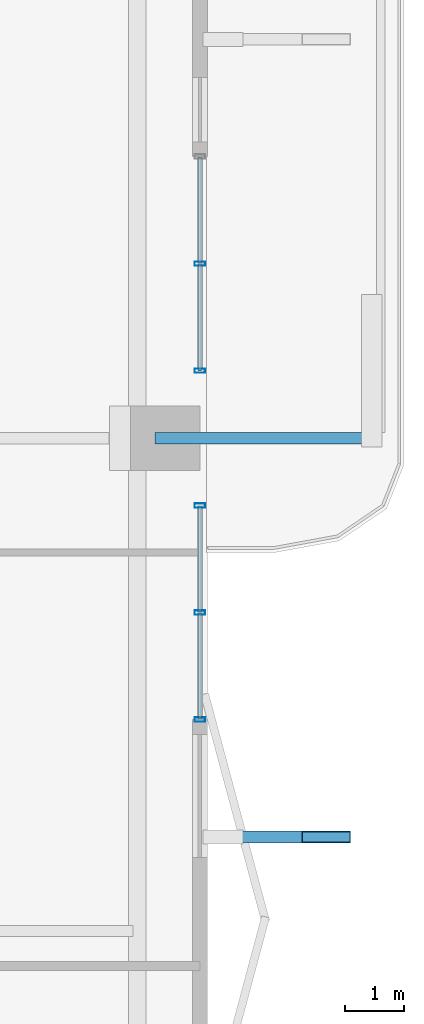
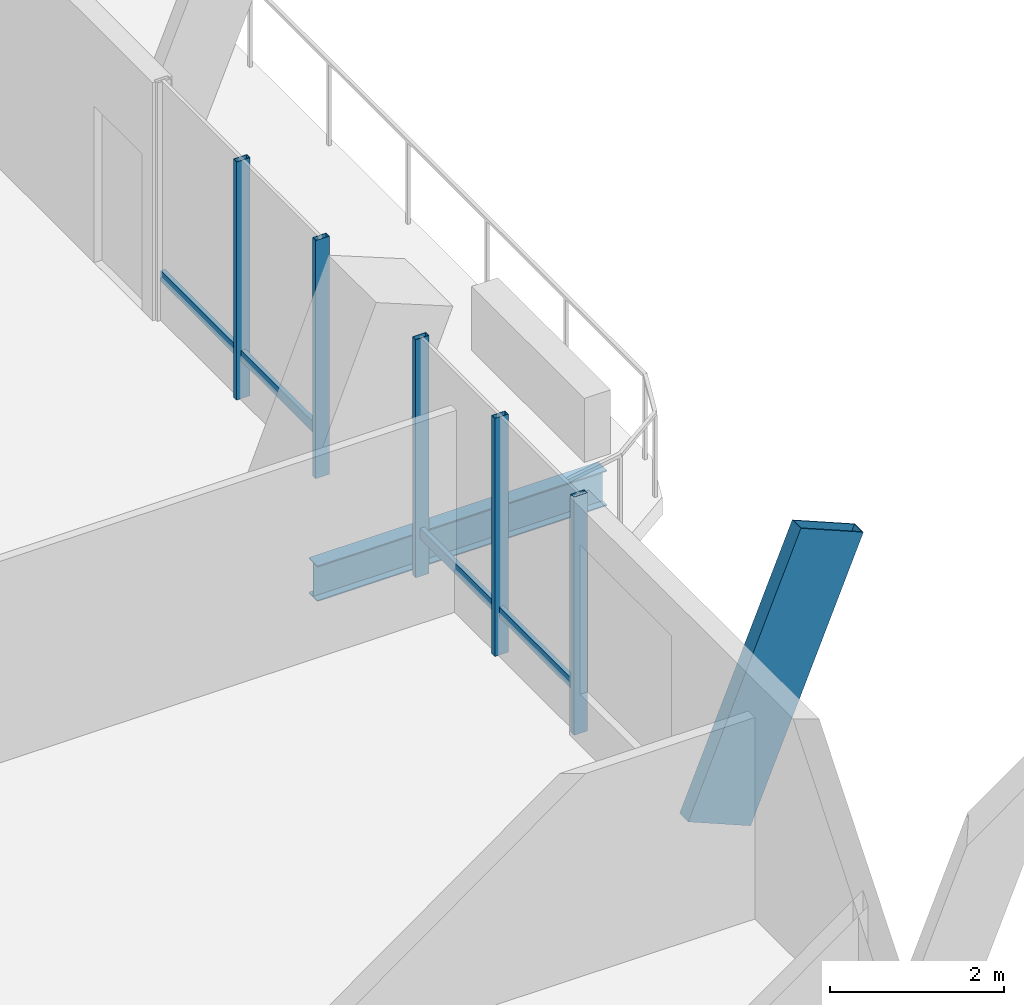
# One storey, part 10 of 24: 10 members, 1 beam, 2 elements without a shape of their own.
"""IFC4 building model written with IfcOpenShell, lengths in metres."""

from ifc_helpers import new_model, si_unit, direction, frame, origin, origin_2d, place, context, subcontext, project, spatial, hollow_rectangle, i_section, extrude, material, layer, layer_set, material_profile, profile_set, type_object, element, aggregate, save


model = new_model("IFC4")

# Units and contexts
model_context = context("Model", 3, precision=1e-05, world=origin(), true_north=direction((0.0, 1.0)))
body_context = subcontext(model_context, "Body", "Model", "MODEL_VIEW")
ifc_project = project(units=[si_unit("LENGTHUNIT", "METRE"), si_unit("AREAUNIT", "SQUARE_METRE"), si_unit("VOLUMEUNIT", "CUBIC_METRE"), si_unit("PLANEANGLEUNIT", "RADIAN"), si_unit("MASSUNIT", "GRAM", prefix="KILO")], contexts=[model_context])

# Site, building, storey
site_placement = place(None, origin())
site = spatial("IfcSite", under=ifc_project, at=site_placement, CompositionType="ELEMENT")
building_placement = place(site_placement, origin())
building = spatial("IfcBuilding", under=site, at=building_placement, Name="Belovzor Exchange Tower", CompositionType="ELEMENT")
storey_placement = place(building_placement, frame((0.0, 0.0, 190.800048828125)))
storey = spatial("IfcBuildingStorey", under=building, at=storey_placement, Name="L47", CompositionType="ELEMENT", Elevation=190.800048828125)

# Beam
ifc_material_1 = material(Name="Steel S355", Category="steel")
ifc_material_profile_1 = material_profile(ifc_material_1, i_section(OverallWidth=0.199951171875, OverallDepth=0.5, WebThickness=0.01025390625, FlangeThickness=0.01611328125, at=origin_2d()))
ifc_profile_set_1 = profile_set([ifc_material_profile_1], Name="Steel S355")
beam_type = type_object("IfcBeamType", Name="Planted Balcony Cantilever Beam IPE 500", PredefinedType="BEAM", material=ifc_profile_set_1)
beam_placement = place(storey_placement, frame((52.202880859375, 28.800048828125, -0.505126953125), z_axis=(1.0, 0.0, 0.0), x_axis=(0.0, 1.0, 0.0)))
element("IfcBeam", 1, at=beam_placement, inside=storey, type_object=beam_type, Name="BC-500 Planted Balcony Cantilever Beam IPE 500", PredefinedType="BEAM", context=body_context, shape_type="SweptSolid", body=[
    extrude(i_section(OverallWidth=0.199951171875, OverallDepth=0.5, WebThickness=0.01025390625, FlangeThickness=0.01611328125, at=origin_2d()), origin(), (0.0, 0.0, 1.0), 3.85009765625),
])

# Member
ifc_material_2 = material(Name="Extruded Architectural Terracotta on Steel S355 Carrier", Category="masonry")
ifc_material_profile_2 = material_profile(ifc_material_2, hollow_rectangle(XDim=0.199951171875, YDim=0.89990234375, WallThickness=0.011962890625, at=origin_2d()))
ifc_profile_set_2 = profile_set([ifc_material_profile_2], Name="Extruded Architectural Terracotta on Steel S355 Carrier")
member_type_1 = type_object("IfcMemberType", Name="Sweeping Terracotta Baguette Fin Assembly 1250", PredefinedType="USERDEFINED", material=ifc_profile_set_2)
member_1_placement = place(storey_placement, frame((53.625, 22.0, -0.255126953125), z_axis=(0.384162484071, 0.0, 0.923265501268), x_axis=(0.0, 1.0, 0.0)))
element("IfcMember", 2, at=member_1_placement, inside=storey, type_object=member_type_1, Name="FIN-TC125 Terracotta Facade Fin L47 E2", ObjectType="FIN", PredefinedType="USERDEFINED", context=body_context, shape_type="SweptSolid", body=[
    extrude(hollow_rectangle(XDim=0.199951171875, YDim=0.89990234375, WallThickness=0.011962890625, at=origin_2d()), origin(), (0.0, 0.0, 1.0), 3.904541015625),
])

# Curtain wall, members
ifc_material_3 = material(Name="Anodised Aluminium Framing", Category="aluminium")
ifc_layer = layer(ifc_material_3, 0.179931640625)
ifc_layer_set = layer_set([ifc_layer], Name="Anodised Aluminium Framing")
curtain_wall_type = type_object("IfcCurtainWallType", Name="Recessed Loggia Low-Iron Triple-Glazed Curtain Wall", PredefinedType="NOTDEFINED", material=ifc_layer_set)
curtain_wall_1_placement = place(storey_placement, origin())
curtain_wall_1 = element("IfcCurtainWall", 3, at=curtain_wall_1_placement, inside=storey, type_object=curtain_wall_type, Name="CW3 Recessed Loggia Low-Iron Triple-Glazed Curtain Wall L47", PredefinedType="NOTDEFINED")
ifc_material_4 = material(Name="Steel S355", Category="steel")
ifc_material_profile_3 = material_profile(ifc_material_4, hollow_rectangle(XDim=0.074951171875, YDim=0.179931640625, WallThickness=0.0048828125, at=origin_2d()))
ifc_profile_set_3 = profile_set([ifc_material_profile_3], Name="Steel S355")
member_type_2 = type_object("IfcMemberType", Name="Thermally Broken Curtain Wall Mullion 180x75", PredefinedType="MULLION", material=ifc_profile_set_3)
member_2_placement = place(storey_placement, frame((52.969970703125, 31.77490234375, 0.0), z_axis=(0.0, 0.0, 1.0), x_axis=(0.0, -1.0, 0.0)))
member_2 = element("IfcMember", 4, at=member_2_placement, type_object=member_type_2, Name="CW-M180 Curtain Wall Mullion 2", PredefinedType="MULLION", context=body_context, shape_type="SweptSolid", body=[
    extrude(hollow_rectangle(XDim=0.074951171875, YDim=0.179931640625, WallThickness=0.0048828125, at=origin_2d()), origin(), (0.0, 0.0, 1.0), 3.349853515625),
])
member_3_placement = place(storey_placement, frame((52.969970703125, 29.949951171875, 0.0), z_axis=(0.0, 0.0, 1.0), x_axis=(0.0, -1.0, 0.0)))
member_3 = element("IfcMember", 5, at=member_3_placement, type_object=member_type_2, Name="CW-M180 Curtain Wall Mullion 3", PredefinedType="MULLION", context=body_context, shape_type="SweptSolid", body=[
    extrude(hollow_rectangle(XDim=0.074951171875, YDim=0.179931640625, WallThickness=0.0048828125, at=origin_2d()), origin(), (0.0, 0.0, 1.0), 3.349853515625),
])

curtain_wall_2_placement = place(storey_placement, origin())
curtain_wall_2 = element("IfcCurtainWall", 6, at=curtain_wall_2_placement, inside=storey, type_object=curtain_wall_type, Name="CW3 Recessed Loggia Low-Iron Triple-Glazed Curtain Wall L47", PredefinedType="NOTDEFINED")
member_4_placement = place(storey_placement, frame((52.969970703125, 27.64990234375, 0.0), z_axis=(0.0, 0.0, 1.0), x_axis=(0.0, -1.0, 0.0)))
member_4 = element("IfcMember", 7, at=member_4_placement, type_object=member_type_2, Name="CW-M180 Curtain Wall Mullion 1", PredefinedType="MULLION", context=body_context, shape_type="SweptSolid", body=[
    extrude(hollow_rectangle(XDim=0.074951171875, YDim=0.179931640625, WallThickness=0.0048828125, at=origin_2d()), origin(), (0.0, 0.0, 1.0), 3.349853515625),
])
member_5_placement = place(storey_placement, frame((52.969970703125, 25.824951171875, 0.0), z_axis=(0.0, 0.0, 1.0), x_axis=(0.0, -1.0, 0.0)))
member_5 = element("IfcMember", 8, at=member_5_placement, type_object=member_type_2, Name="CW-M180 Curtain Wall Mullion 2", PredefinedType="MULLION", context=body_context, shape_type="SweptSolid", body=[
    extrude(hollow_rectangle(XDim=0.074951171875, YDim=0.179931640625, WallThickness=0.0048828125, at=origin_2d()), origin(), (0.0, 0.0, 1.0), 3.349853515625),
])
member_6_placement = place(storey_placement, frame((52.969970703125, 24.0, 0.0), z_axis=(0.0, 0.0, 1.0), x_axis=(0.0, -1.0, 0.0)))
member_6 = element("IfcMember", 9, at=member_6_placement, type_object=member_type_2, Name="CW-M180 Curtain Wall Mullion 3", PredefinedType="MULLION", context=body_context, shape_type="SweptSolid", body=[
    extrude(hollow_rectangle(XDim=0.074951171875, YDim=0.179931640625, WallThickness=0.0048828125, at=origin_2d()), origin(), (0.0, 0.0, 1.0), 3.349853515625),
])

# Member
ifc_material_5 = material(Name="Steel S355", Category="steel")
ifc_material_profile_4 = material_profile(ifc_material_5, hollow_rectangle(XDim=0.06005859375, YDim=0.14990234375, WallThickness=0.00390625, at=origin_2d()))
ifc_profile_set_4 = profile_set([ifc_material_profile_4], Name="Steel S355")
member_type_3 = type_object("IfcMemberType", Name="Thermally Broken Curtain Wall Transom 150x60", PredefinedType="USERDEFINED", material=ifc_profile_set_4)
member_7_placement = place(storey_placement, frame((52.969970703125, 33.592041015625, 0.60302734375), z_axis=(0.0, -1.0, 0.0), x_axis=(1.0, 0.0, 0.0)))
member_7 = element("IfcMember", 10, at=member_7_placement, type_object=member_type_3, Name="CW-T150 Curtain Wall Transom 1", ObjectType="TRANSOM", PredefinedType="USERDEFINED", context=body_context, shape_type="SweptSolid", body=[
    extrude(hollow_rectangle(XDim=0.06005859375, YDim=0.14990234375, WallThickness=0.00390625, at=origin_2d()), origin(), (0.0, 0.0, 1.0), 1.80908203125),
])

member_8_placement = place(storey_placement, frame((52.969970703125, 31.76708984375, 0.60302734375), z_axis=(0.0, -1.0, 0.0), x_axis=(1.0, 0.0, 0.0)))
member_8 = element("IfcMember", 11, at=member_8_placement, type_object=member_type_3, Name="CW-T150 Curtain Wall Transom 2", ObjectType="TRANSOM", PredefinedType="USERDEFINED", context=body_context, shape_type="SweptSolid", body=[
    extrude(hollow_rectangle(XDim=0.06005859375, YDim=0.14990234375, WallThickness=0.00390625, at=origin_2d()), origin(), (0.0, 0.0, 1.0), 1.80908203125),
])

aggregate(curtain_wall_1, [member_2, member_3, member_7, member_8])

member_9_placement = place(storey_placement, frame((52.969970703125, 27.64208984375, 0.60302734375), z_axis=(0.0, -1.0, 0.0), x_axis=(1.0, 0.0, 0.0)))
member_9 = element("IfcMember", 12, at=member_9_placement, type_object=member_type_3, Name="CW-T150 Curtain Wall Transom 1", ObjectType="TRANSOM", PredefinedType="USERDEFINED", context=body_context, shape_type="SweptSolid", body=[
    extrude(hollow_rectangle(XDim=0.06005859375, YDim=0.14990234375, WallThickness=0.00390625, at=origin_2d()), origin(), (0.0, 0.0, 1.0), 1.80908203125),
])

member_10_placement = place(storey_placement, frame((52.969970703125, 25.81689453125, 0.60302734375), z_axis=(0.0, -1.0, 0.0), x_axis=(1.0, 0.0, 0.0)))
member_10 = element("IfcMember", 13, at=member_10_placement, type_object=member_type_3, Name="CW-T150 Curtain Wall Transom 2", ObjectType="TRANSOM", PredefinedType="USERDEFINED", context=body_context, shape_type="SweptSolid", body=[
    extrude(hollow_rectangle(XDim=0.06005859375, YDim=0.14990234375, WallThickness=0.00390625, at=origin_2d()), origin(), (0.0, 0.0, 1.0), 1.808837890625),
])

aggregate(curtain_wall_2, [member_4, member_5, member_6, member_9, member_10])

save(model, "model.ifc")
